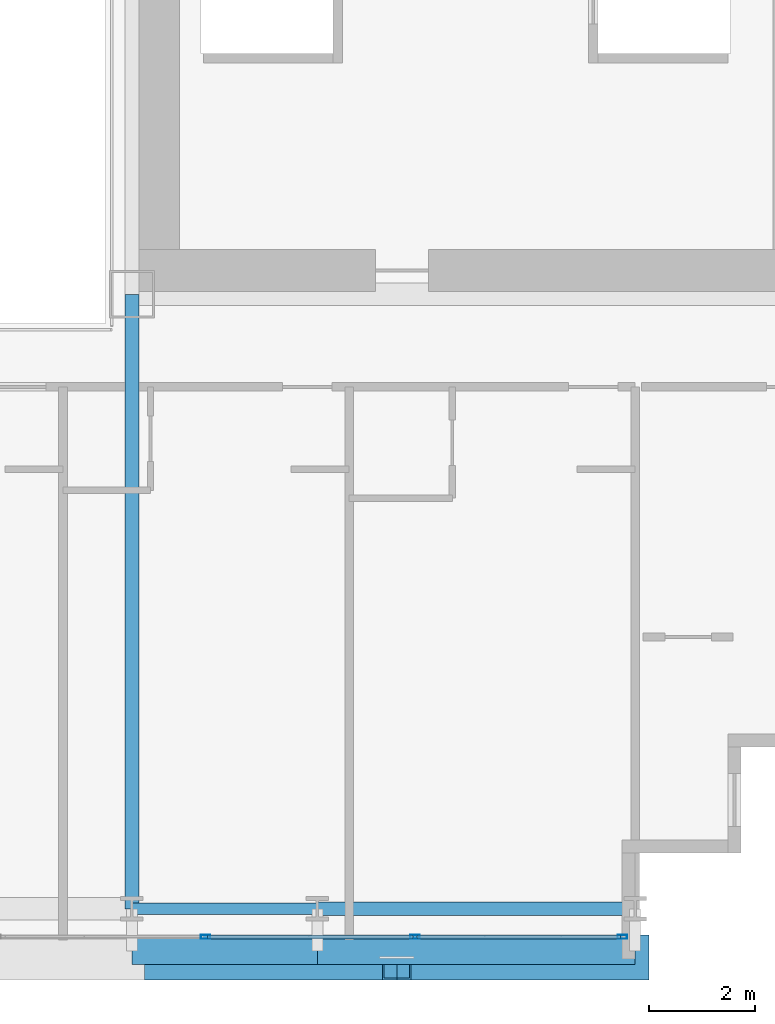
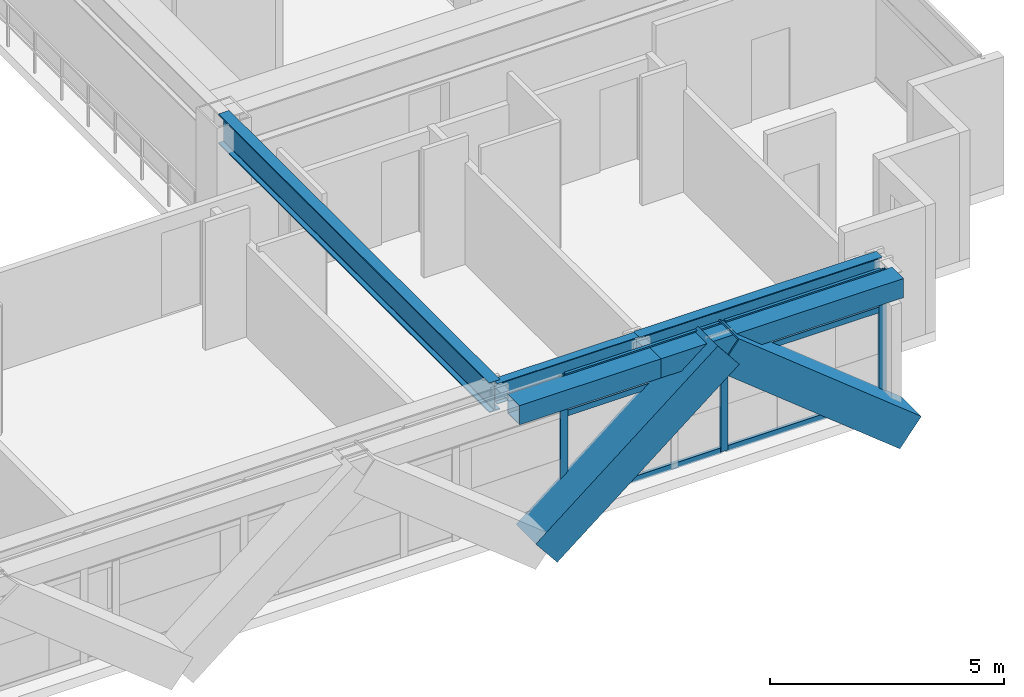
# One storey, part 10 of 35: 11 members, 5 beams, 1 element without a shape of its own.
"""IFC4 building model written with IfcOpenShell, lengths in metres."""

from ifc_helpers import new_model, si_unit, direction, frame, origin, origin_2d, place, context, subcontext, project, spatial, hollow_rectangle, i_section, extrude, source, transform, mapped, material, layer, layer_set, material_profile, profile_set, type_object, element, aggregate, save


model = new_model("IFC4")

# Units and contexts
model_context = context("Model", 3, precision=1e-05, world=origin(), true_north=direction((0.0, 1.0)))
body_context = subcontext(model_context, "Body", "Model", "MODEL_VIEW")
ifc_project = project(units=[si_unit("LENGTHUNIT", "METRE"), si_unit("AREAUNIT", "SQUARE_METRE"), si_unit("VOLUMEUNIT", "CUBIC_METRE"), si_unit("PLANEANGLEUNIT", "RADIAN"), si_unit("MASSUNIT", "GRAM", prefix="KILO")], contexts=[model_context])

# Site, building, storey
site_placement = place(None, origin())
site = spatial("IfcSite", under=ifc_project, at=site_placement, CompositionType="ELEMENT")
building_placement = place(site_placement, origin())
building = spatial("IfcBuilding", under=site, at=building_placement, Name="Ocotamira Hotel", CompositionType="ELEMENT")
storey_placement = place(building_placement, frame((0.0, 0.0, 56.39990234375)))
storey = spatial("IfcBuildingStorey", under=building, at=storey_placement, Name="L13", CompositionType="ELEMENT", Elevation=56.39990234375)

# Beams
ifc_material_1 = material(Name="Steel ASTM A992 Grade 50", Category="steel")
ifc_material_profile_1 = material_profile(ifc_material_1, i_section(OverallWidth=0.256103515625, OverallDepth=0.693115234375, WebThickness=0.014404296875, FlangeThickness=0.023681640625, FilletRadius=0.01611328125, at=origin_2d()), Name="W27X114")
ifc_profile_set_1 = profile_set([ifc_material_profile_1], Name="Steel ASTM A992 Grade 50")
beam_type_1 = type_object("IfcBeamType", Name="BM-PRIM-W27X114", PredefinedType="BEAM", material=ifc_profile_set_1)
shared_shape_1 = source(origin(), body_context, "Body", "SweptSolid", [
    extrude(i_section(OverallWidth=0.256103515625, OverallDepth=0.693115234375, WebThickness=0.014404296875, FlangeThickness=0.023681640625, FilletRadius=0.01611328125, at=origin_2d()), origin(), (0.0, 0.0, 1.0), 6.0),
])
beam_1_placement = place(storey_placement, frame((44.0, 2.949951171875, 3.003662109375), z_axis=(1.0, 0.0, 0.0), x_axis=(0.0, 1.0, 0.0)))
element("IfcBeam", 1, at=beam_1_placement, inside=storey, type_object=beam_type_1, Name="L13 Girder Y2.95 X44-50", PredefinedType="BEAM", context=body_context, shape_type="MappedRepresentation", body=[
    mapped(shared_shape_1, transform((0.0, 0.0, 0.0), scale=1.0)),
])
ifc_material_profile_2 = material_profile(ifc_material_1, i_section(OverallWidth=0.2099609375, OverallDepth=0.537109375, WebThickness=0.010986328125, FlangeThickness=0.017333984375, FilletRadius=0.012939453125, at=origin_2d()), Name="W21X68")
ifc_profile_set_2 = profile_set([ifc_material_profile_2], Name="Steel ASTM A992 Grade 50")
beam_type_2 = type_object("IfcBeamType", Name="BM-SEC-W21X68", PredefinedType="JOIST", material=ifc_profile_set_2)
shared_shape_2 = source(origin(), body_context, "Body", "SweptSolid", [
    extrude(i_section(OverallWidth=0.2099609375, OverallDepth=0.537109375, WebThickness=0.010986328125, FlangeThickness=0.017333984375, FilletRadius=0.012939453125, at=origin_2d()), origin(), (0.0, 0.0, 1.0), 3.5),
])
beam_2_placement = place(storey_placement, frame((40.5, 2.949951171875, 3.08154296875), z_axis=(1.0, 0.0, 0.0), x_axis=(0.0, 1.0, 0.0)))
element("IfcBeam", 2, at=beam_2_placement, inside=storey, type_object=beam_type_2, Name="L13 Girder Y2.95 X40.5-44", PredefinedType="JOIST", context=body_context, shape_type="MappedRepresentation", body=[
    mapped(shared_shape_2, transform((0.0, 0.0, 0.0), scale=1.0)),
])
ifc_material_profile_3 = material_profile(ifc_material_1, i_section(OverallWidth=0.26611328125, OverallDepth=0.779052734375, WebThickness=0.0166015625, FlangeThickness=0.030029296875, FilletRadius=0.01806640625, at=origin_2d()), Name="W30X148")
ifc_profile_set_3 = profile_set([ifc_material_profile_3], Name="Steel ASTM A992 Grade 50")
beam_type_3 = type_object("IfcBeamType", Name="BM-GIRD-W30X148", PredefinedType="BEAM", material=ifc_profile_set_3)
shared_shape_3 = source(origin(), body_context, "Body", "SweptSolid", [
    extrude(i_section(OverallWidth=0.26611328125, OverallDepth=0.779052734375, WebThickness=0.0166015625, FlangeThickness=0.030029296875, FilletRadius=0.01806640625, at=origin_2d()), origin(), (0.0, 0.0, 1.0), 11.60009765625),
])
beam_3_placement = place(storey_placement, frame((40.5, 2.949951171875, 2.960693359375), z_axis=(0.0, 1.0, 0.0), x_axis=(-1.0, 0.0, 0.0)))
element("IfcBeam", 3, at=beam_3_placement, inside=storey, type_object=beam_type_3, Name="L13 Beam X40.5 Y2.95-14.55", PredefinedType="BEAM", context=body_context, shape_type="MappedRepresentation", body=[
    mapped(shared_shape_3, transform((0.0, 0.0, 0.0), scale=1.0)),
])
ifc_material_2 = material(Name="Steel ASTM A500 Grade C", Category="steel")
ifc_material_profile_4 = material_profile(ifc_material_2, hollow_rectangle(XDim=0.5, YDim=0.5, WallThickness=0.02001953125, at=origin_2d()), Name="HSS500X500X20")
ifc_profile_set_4 = profile_set([ifc_material_profile_4], Name="Steel ASTM A500 Grade C")
beam_type_4 = type_object("IfcBeamType", Name="BM-SPAN-HSS500", PredefinedType="USERDEFINED", material=ifc_profile_set_4)
shared_shape_4 = source(origin(), body_context, "Body", "SweptSolid", [
    extrude(hollow_rectangle(XDim=0.5, YDim=0.5, WallThickness=0.02001953125, at=origin_2d()), origin(), (0.0, 0.0, 1.0), 6.0),
])
beam_4_placement = place(storey_placement, frame((44.0, 2.14990234375, 3.10009765625), z_axis=(1.0, 0.0, 0.0), x_axis=(0.0, 1.0, 0.0)))
element("IfcBeam", 4, at=beam_4_placement, inside=storey, type_object=beam_type_4, Name="L13 Edge Spandrel S X44-50", ObjectType="SPANDREL", PredefinedType="USERDEFINED", context=body_context, shape_type="MappedRepresentation", body=[
    mapped(shared_shape_4, transform((0.0, 0.0, 0.0), scale=1.0)),
])
shared_shape_5 = source(origin(), body_context, "Body", "SweptSolid", [
    extrude(hollow_rectangle(XDim=0.5, YDim=0.5, WallThickness=0.02001953125, at=origin_2d()), origin(), (0.0, 0.0, 1.0), 3.5),
])
beam_5_placement = place(storey_placement, frame((40.5, 2.14990234375, 3.10009765625), z_axis=(1.0, 0.0, 0.0), x_axis=(0.0, 1.0, 0.0)))
element("IfcBeam", 5, at=beam_5_placement, inside=storey, type_object=beam_type_4, Name="L13 Edge Spandrel S X40.5-44", ObjectType="SPANDREL", PredefinedType="USERDEFINED", context=body_context, shape_type="MappedRepresentation", body=[
    mapped(shared_shape_5, transform((0.0, 0.0, 0.0), scale=1.0)),
])

# Members
ifc_material_3 = material(Name="Pale-metal coated steel ASTM A913 Grade 65", Category="steel")
ifc_material_profile_5 = material_profile(ifc_material_3, hollow_rectangle(XDim=0.85009765625, YDim=0.85009765625, WallThickness=0.035888671875, at=origin_2d()), Name="BOX850X850X36")
ifc_profile_set_5 = profile_set([ifc_material_profile_5], Name="Pale-metal coated steel ASTM A913 Grade 65")
member_type_1 = type_object("IfcMemberType", Name="MEM-EXO-BOX850", PredefinedType="BRACE", material=ifc_profile_set_5)
shared_shape_6 = source(origin(), body_context, "Body", "SweptSolid", [
    extrude(hollow_rectangle(XDim=0.85009765625, YDim=0.85009765625, WallThickness=0.035888671875, at=origin_2d()), origin(), (0.0, 0.0, 1.0), 5.762939453125),
])
for number, where, z_axis, x_axis, name in (
    (6, (41.0, 2.030029296875, -0.5), (0.780860543151, 0.0, 0.624705380279), (0.0, 1.0, 0.0), "L13 Exoskeleton Diagrid S3.1"),
    (7, (50.0, 2.030029296875, -0.5), (-0.780860543151, 0.0, 0.624705380279), (0.0, -1.0, 0.0), "L13 Exoskeleton Diagrid S3.2"),
):
    element("IfcMember", number, at=place(storey_placement, frame(where, z_axis=z_axis, x_axis=x_axis)), inside=storey, type_object=member_type_1, Name=name, PredefinedType="BRACE", context=body_context, shape_type="MappedRepresentation", body=[
        mapped(shared_shape_6, transform((0.0, 0.0, 0.0), scale=1.0)),
    ])

# Curtain wall, members
ifc_material_4 = material(Name="Anodised pale-metal aluminium and solar glass", Category="aluminium")
ifc_layer = layer(ifc_material_4, 0.179931640625)
ifc_layer_set = layer_set([ifc_layer], Name="Anodised pale-metal aluminium and solar glass")
curtain_wall_type = type_object("IfcCurtainWallType", Name="CW-SYS2-Z1", PredefinedType="NOTDEFINED", material=ifc_layer_set)
curtain_wall_placement = place(storey_placement, origin())
curtain_wall = element("IfcCurtainWall", 8, at=curtain_wall_placement, inside=storey, type_object=curtain_wall_type, Name="L13 Curtain Wall CW-2 CW-L13-S1", PredefinedType="NOTDEFINED")
ifc_material_5 = material(Name="Anodised pale-metal aluminium 6063-T6", Category="aluminium")
ifc_material_profile_6 = material_profile(ifc_material_5, hollow_rectangle(XDim=0.074951171875, YDim=0.14990234375, WallThickness=0.006103515625, at=origin_2d()), Name="HSS150X75X6")
ifc_profile_set_6 = profile_set([ifc_material_profile_6], Name="Anodised pale-metal aluminium 6063-T6")
member_type_2 = type_object("IfcMemberType", Name="CWT-150X75", PredefinedType="USERDEFINED", material=ifc_profile_set_6)
shared_shape_7 = source(origin(), body_context, "Body", "SweptSolid", [
    extrude(hollow_rectangle(XDim=0.074951171875, YDim=0.14990234375, WallThickness=0.006103515625, at=origin_2d()), origin(), (0.0, 0.0, 1.0), 3.83544921875),
])
member_1_placement = place(storey_placement, frame((45.884521484375, 2.419921875, 0.03759765625), z_axis=(1.0, 0.0, 0.0), x_axis=(0.0, 1.0, 0.0)))
member_1 = element("IfcMember", 9, at=member_1_placement, type_object=member_type_2, Name="CW-2 transom 9.1", ObjectType="TRANSOM", PredefinedType="USERDEFINED", context=body_context, shape_type="MappedRepresentation", body=[
    mapped(shared_shape_7, transform((0.0, 0.0, 0.0), scale=1.0)),
])
member_2_placement = place(storey_placement, frame((45.884521484375, 2.419921875, 2.35009765625), z_axis=(1.0, 0.0, 0.0), x_axis=(0.0, 1.0, 0.0)))
member_2 = element("IfcMember", 10, at=member_2_placement, type_object=member_type_2, Name="CW-2 transom 9.2", ObjectType="TRANSOM", PredefinedType="USERDEFINED", context=body_context, shape_type="MappedRepresentation", body=[
    mapped(shared_shape_7, transform((0.0, 0.0, 0.0), scale=1.0)),
])
member_3_placement = place(storey_placement, frame((45.884521484375, 2.419921875, 3.3125), z_axis=(1.0, 0.0, 0.0), x_axis=(0.0, 1.0, 0.0)))
member_3 = element("IfcMember", 11, at=member_3_placement, type_object=member_type_2, Name="CW-2 transom 9.3", ObjectType="TRANSOM", PredefinedType="USERDEFINED", context=body_context, shape_type="MappedRepresentation", body=[
    mapped(shared_shape_7, transform((0.0, 0.0, 0.0), scale=1.0)),
])
shared_shape_8 = source(origin(), body_context, "Body", "SweptSolid", [
    extrude(hollow_rectangle(XDim=0.074951171875, YDim=0.14990234375, WallThickness=0.006103515625, at=origin_2d()), origin(), (0.0, 0.0, 1.0), 3.87548828125),
])
member_4_placement = place(storey_placement, frame((41.928955078125, 2.419921875, 0.03759765625), z_axis=(1.0, 0.0, 0.0), x_axis=(0.0, 1.0, 0.0)))
member_4 = element("IfcMember", 12, at=member_4_placement, type_object=member_type_2, Name="CW-2 transom 8.1", ObjectType="TRANSOM", PredefinedType="USERDEFINED", context=body_context, shape_type="MappedRepresentation", body=[
    mapped(shared_shape_8, transform((0.0, 0.0, 0.0), scale=1.0)),
])
member_5_placement = place(storey_placement, frame((41.928955078125, 2.419921875, 2.35009765625), z_axis=(1.0, 0.0, 0.0), x_axis=(0.0, 1.0, 0.0)))
member_5 = element("IfcMember", 13, at=member_5_placement, type_object=member_type_2, Name="CW-2 transom 8.2", ObjectType="TRANSOM", PredefinedType="USERDEFINED", context=body_context, shape_type="MappedRepresentation", body=[
    mapped(shared_shape_8, transform((0.0, 0.0, 0.0), scale=1.0)),
])
member_6_placement = place(storey_placement, frame((41.928955078125, 2.419921875, 3.3125), z_axis=(1.0, 0.0, 0.0), x_axis=(0.0, 1.0, 0.0)))
member_6 = element("IfcMember", 14, at=member_6_placement, type_object=member_type_2, Name="CW-2 transom 8.3", ObjectType="TRANSOM", PredefinedType="USERDEFINED", context=body_context, shape_type="MappedRepresentation", body=[
    mapped(shared_shape_8, transform((0.0, 0.0, 0.0), scale=1.0)),
])
ifc_material_profile_7 = material_profile(ifc_material_5, hollow_rectangle(XDim=0.080078125, YDim=0.179931640625, WallThickness=0.006103515625, at=origin_2d()), Name="HSS180X80X6")
ifc_profile_set_7 = profile_set([ifc_material_profile_7], Name="Anodised pale-metal aluminium 6063-T6")
member_type_3 = type_object("IfcMemberType", Name="CWM-180X75", PredefinedType="MULLION", material=ifc_profile_set_7)
shared_shape_9 = source(origin(), body_context, "Body", "SweptSolid", [
    extrude(hollow_rectangle(XDim=0.080078125, YDim=0.179931640625, WallThickness=0.006103515625, at=origin_2d()), origin(), (0.0, 0.0, 1.0), 3.35009765625),
])
member_7_placement = place(storey_placement, frame((41.888916015625, 2.419921875, 0.0), z_axis=(0.0, 0.0, 1.0), x_axis=(0.0, 1.0, 0.0)))
member_7 = element("IfcMember", 15, at=member_7_placement, type_object=member_type_3, Name="CW-2 mullion 8", PredefinedType="MULLION", context=body_context, shape_type="MappedRepresentation", body=[
    mapped(shared_shape_9, transform((0.0, 0.0, 0.0), scale=1.0)),
])
member_8_placement = place(storey_placement, frame((45.844482421875, 2.419921875, 0.0), z_axis=(0.0, 0.0, 1.0), x_axis=(0.0, 1.0, 0.0)))
member_8 = element("IfcMember", 16, at=member_8_placement, type_object=member_type_3, Name="CW-2 mullion 9", PredefinedType="MULLION", context=body_context, shape_type="MappedRepresentation", body=[
    mapped(shared_shape_9, transform((0.0, 0.0, 0.0), scale=1.0)),
])
member_9_placement = place(storey_placement, frame((49.760009765625, 2.419921875, 0.0), z_axis=(0.0, 0.0, 1.0), x_axis=(0.0, 1.0, 0.0)))
member_9 = element("IfcMember", 17, at=member_9_placement, type_object=member_type_3, Name="CW-2 mullion 10", PredefinedType="MULLION", context=body_context, shape_type="MappedRepresentation", body=[
    mapped(shared_shape_9, transform((0.0, 0.0, 0.0), scale=1.0)),
])
aggregate(curtain_wall, [member_7, member_8, member_9, member_4, member_5, member_6, member_1, member_2, member_3])

save(model, "model.ifc")
